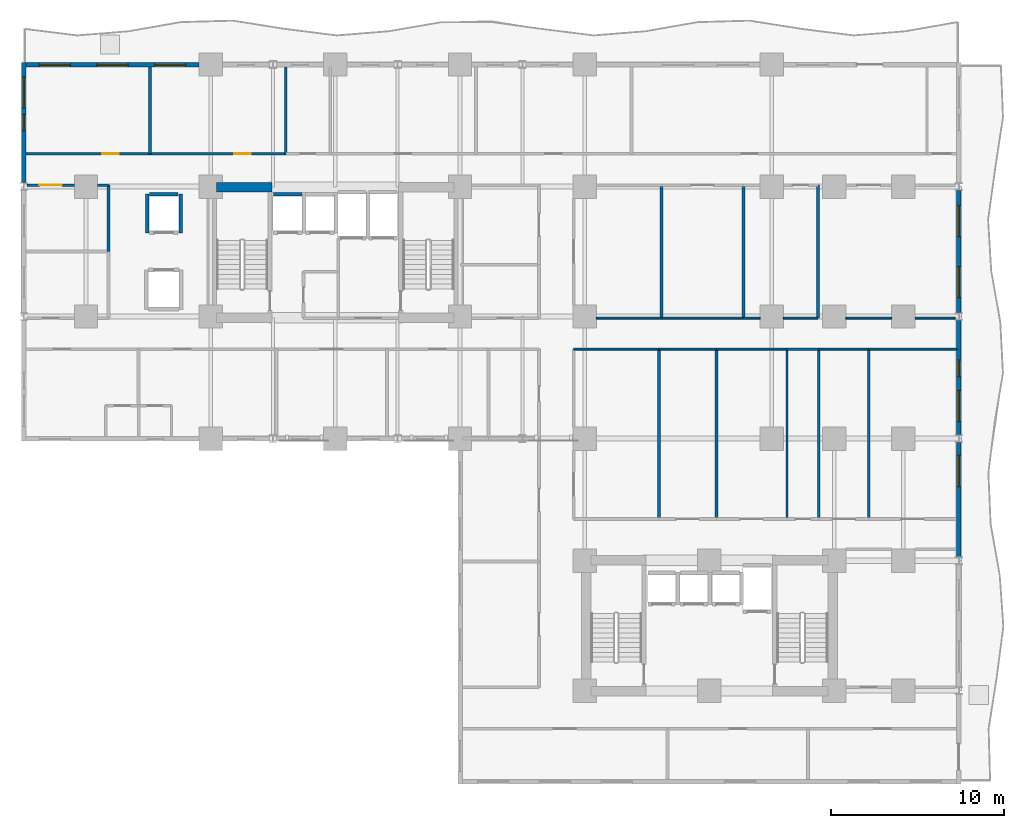
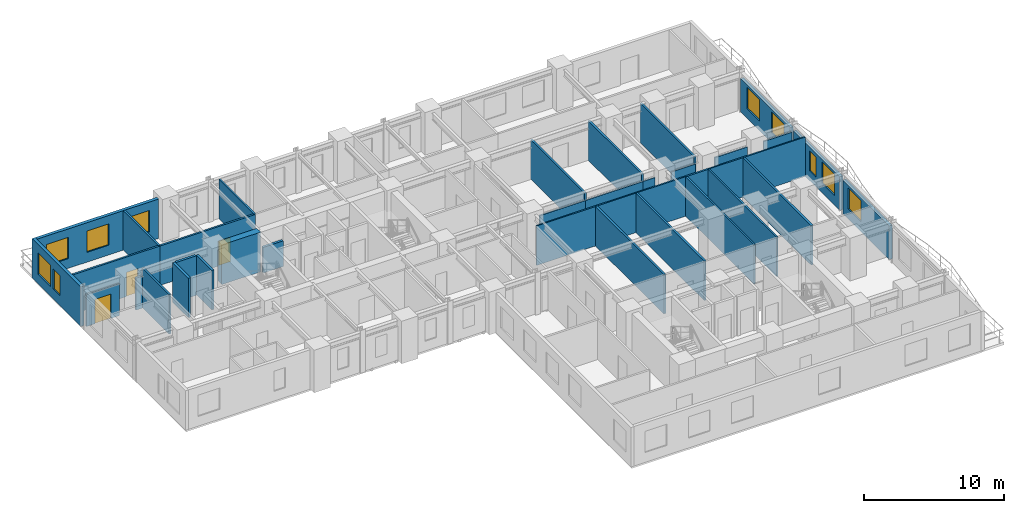
# One storey, part 6 of 11: 37 walls, 10 windows, 3 doors, 13 openings.
"""IFC4 building model written with IfcOpenShell, lengths in metres."""

from ifc_helpers import new_model, si_unit, direction, frame, frame_2d, origin, place, context, subcontext, project, spatial, rectangle, extrude, material, layer, layer_set, type_object, element, fill, save


model = new_model("IFC4")

# Units and contexts
model_context = context("Model", 3, precision=1e-05, world=origin(), true_north=direction((0.0, 1.0)))
body_context = subcontext(model_context, "Body", "Model", "MODEL_VIEW")
ifc_project = project(units=[si_unit("LENGTHUNIT", "METRE"), si_unit("AREAUNIT", "SQUARE_METRE"), si_unit("VOLUMEUNIT", "CUBIC_METRE"), si_unit("PLANEANGLEUNIT", "RADIAN"), si_unit("MASSUNIT", "GRAM", prefix="KILO")], contexts=[model_context])

# Site, building, storey
site_placement = place(None, origin())
site = spatial("IfcSite", under=ifc_project, at=site_placement, CompositionType="ELEMENT")
building_placement = place(site_placement, origin())
building = spatial("IfcBuilding", under=site, at=building_placement, Name="Kaliganga Portal Commons", CompositionType="ELEMENT")
storey_placement = place(building_placement, frame((0.0, 0.0, 36.39990234375)))
storey = spatial("IfcBuildingStorey", under=building, at=storey_placement, Name="L08", CompositionType="ELEMENT", Elevation=36.39990234375)

# Wall
ifc_material_1 = material(Name="Concrete C60/75", Category="concrete")
ifc_layer_1 = layer(ifc_material_1, 0.550048828125)
ifc_layer_set_1 = layer_set([ifc_layer_1], Name="Concrete C60/75")
wall_type_1 = type_object("IfcWallType", Name="WL-CORE-550", PredefinedType="SHEAR", material=ifc_layer_set_1)
wall_1_placement = place(storey_placement, frame((14.75, 36.125, 0.0), z_axis=(0.0, 0.0, 1.0), x_axis=(1.0, 0.0, 0.0)))
element("IfcWall", 1, at=wall_1_placement, inside=storey, type_object=wall_type_1, Name="Core A N-West Shear Wall L08", PredefinedType="SHEAR", context=body_context, shape_type="SweptSolid", body=[
    extrude(rectangle(XDim=3.199951171875, YDim=0.550048828125, at=frame_2d((1.60009765625, 0.0))), origin(), (0.0, 0.0, 1.0), 3.4501953125),
])

# Wall, opening, window
ifc_material_2 = material(Name="Insulated Aluminium-Clad Spandrel Assembly", Category="aluminium")
ifc_layer_2 = layer(ifc_material_2, 0.260009765625)
ifc_layer_set_2 = layer_set([ifc_layer_2], Name="Insulated Aluminium-Clad Spandrel Assembly")
wall_type_2 = type_object("IfcWallType", Name="WL-EXT-SPAND-260", PredefinedType="STANDARD", material=ifc_layer_set_2)
wall_2_placement = place(storey_placement, frame((57.60009765625, 21.3759765625, 0.0), z_axis=(0.0, 0.0, 1.0), x_axis=(0.0, -1.0, 0.0)))
wall_2 = element("IfcWall", 2, at=wall_2_placement, inside=storey, type_object=wall_type_2, Name="Exterior Envelope Wall L08 P1-E01-S3", PredefinedType="STANDARD", context=body_context, shape_type="SweptSolid", body=[
    extrude(rectangle(XDim=6.60205078125, YDim=0.260009765625, at=frame_2d((3.301025390625, 0.0))), origin(), (0.0, 0.0, 1.0), 2.93017578125),
])
opening_1_placement = place(wall_2_placement, frame((0.75048828125, 0.0, 0.85009765625)))
opening_1 = element("IfcOpeningElement", 3, at=opening_1_placement, cuts=wall_2, Name="Opening W-01", PredefinedType="OPENING", context=body_context, shape_type="SweptSolid", body=[
    extrude(rectangle(XDim=1.800048828125, YDim=1.85009765625, at=frame_2d((0.89990234375, 0.925048828125))), frame((0.0, 0.14013671875, 0.0), z_axis=(0.0, -1.0, 0.0), x_axis=(1.0, 0.0, 0.0)), (0.0, 0.0, 1.0), 0.280029296875),
])
ifc_material_3 = material(Name="Thermally Broken Aluminium and Low-E Double Glazing", Category="aluminium")
window_type_1 = type_object("IfcWindowType", Name="WIN-STD-1800", PartitioningType="DOUBLE_PANEL_VERTICAL", PredefinedType="WINDOW", material=ifc_material_3)
window_1_placement = place(opening_1_placement, origin())
window_1 = element("IfcWindow", 4, at=window_1_placement, inside=storey, type_object=window_type_1, Name="Facade Window L08-P1E01S3-00", OverallHeight=1.85009765625, OverallWidth=1.800048828125, PartitioningType="SINGLE_PANEL", PredefinedType="WINDOW", context=body_context, shape_type="SweptSolid", body=[
    extrude(rectangle(XDim=1.800048828125, YDim=1.85009765625, at=frame_2d((0.89990234375, 0.925048828125))), frame((0.0, 0.030029296875, 0.0), z_axis=(0.0, -1.0, 0.0), x_axis=(1.0, 0.0, 0.0)), (0.0, 0.0, 1.0), 0.06005859375),
])
fill(opening_1, window_1)

# Wall, openings, windows
wall_3_placement = place(storey_placement, frame((57.60009765625, 28.426025390625, 0.0), z_axis=(0.0, 0.0, 1.0), x_axis=(0.0, -1.0, 0.0)))
wall_3 = element("IfcWall", 5, at=wall_3_placement, inside=storey, type_object=wall_type_2, Name="Exterior Envelope Wall L08 P1-E01-S4", PredefinedType="STANDARD", context=body_context, shape_type="SweptSolid", body=[
    extrude(rectangle(XDim=6.60205078125, YDim=0.260009765625, at=frame_2d((3.301025390625, 0.0))), origin(), (0.0, 0.0, 1.0), 2.93017578125),
])
opening_2_placement = place(wall_3_placement, frame((4.051513671875, 0.0, 0.85009765625)))
opening_2 = element("IfcOpeningElement", 6, at=opening_2_placement, cuts=wall_3, Name="Opening W-01", PredefinedType="OPENING", context=body_context, shape_type="SweptSolid", body=[
    extrude(rectangle(XDim=1.800048828125, YDim=1.85009765625, at=frame_2d((0.89990234375, 0.925048828125))), frame((0.0, 0.14013671875, 0.0), z_axis=(0.0, -1.0, 0.0), x_axis=(1.0, 0.0, 0.0)), (0.0, 0.0, 1.0), 0.280029296875),
])
opening_3_placement = place(wall_3_placement, frame((2.2978515625, 0.0, 0.85009765625)))
opening_3 = element("IfcOpeningElement", 7, at=opening_3_placement, cuts=wall_3, Name="Opening W-04", PredefinedType="OPENING", context=body_context, shape_type="SweptSolid", body=[
    extrude(rectangle(XDim=0.949951171875, YDim=1.75, at=frame_2d((0.47509765625, 0.875))), frame((0.0, 0.14013671875, 0.0), z_axis=(0.0, -1.0, 0.0), x_axis=(1.0, 0.0, 0.0)), (0.0, 0.0, 1.0), 0.280029296875),
])
window_type_2 = type_object("IfcWindowType", Name="WIN-NARROW-950", PartitioningType="SINGLE_PANEL", PredefinedType="WINDOW", material=ifc_material_3)
window_2_placement = place(opening_3_placement, origin())
window_2 = element("IfcWindow", 8, at=window_2_placement, inside=storey, type_object=window_type_2, Name="Facade Window L08-P1E01S4-N5", OverallHeight=1.75, OverallWidth=0.949951171875, PartitioningType="SINGLE_PANEL", PredefinedType="WINDOW", context=body_context, shape_type="SweptSolid", body=[
    extrude(rectangle(XDim=0.949951171875, YDim=1.75, at=frame_2d((0.47509765625, 0.875))), frame((0.0, 0.030029296875, 0.0), z_axis=(0.0, -1.0, 0.0), x_axis=(1.0, 0.0, 0.0)), (0.0, 0.0, 1.0), 0.06005859375),
])
fill(opening_3, window_2)
window_3_placement = place(opening_2_placement, origin())
window_3 = element("IfcWindow", 9, at=window_3_placement, inside=storey, type_object=window_type_1, Name="Facade Window L08-P1E01S4-01", OverallHeight=1.85009765625, OverallWidth=1.800048828125, PartitioningType="SINGLE_PANEL", PredefinedType="WINDOW", context=body_context, shape_type="SweptSolid", body=[
    extrude(rectangle(XDim=1.800048828125, YDim=1.85009765625, at=frame_2d((0.89990234375, 0.925048828125))), frame((0.0, 0.030029296875, 0.0), z_axis=(0.0, -1.0, 0.0), x_axis=(1.0, 0.0, 0.0)), (0.0, 0.0, 1.0), 0.06005859375),
])
fill(opening_2, window_3)

wall_4_placement = place(storey_placement, frame((57.60009765625, 35.926025390625, 0.0), z_axis=(0.0, 0.0, 1.0), x_axis=(0.0, -1.0, 0.0)))
wall_4 = element("IfcWall", 10, at=wall_4_placement, inside=storey, type_object=wall_type_2, Name="Exterior Envelope Wall L08 P1-E01-S5", PredefinedType="STANDARD", context=body_context, shape_type="SweptSolid", body=[
    extrude(rectangle(XDim=7.052001953125, YDim=0.260009765625, at=frame_2d((3.52587890625, 0.0))), origin(), (0.0, 0.0, 1.0), 2.93017578125),
])
opening_4_placement = place(wall_4_placement, frame((0.863037109375, 0.0, 0.85009765625)))
opening_4 = element("IfcOpeningElement", 11, at=opening_4_placement, cuts=wall_4, Name="Opening W-01", PredefinedType="OPENING", context=body_context, shape_type="SweptSolid", body=[
    extrude(rectangle(XDim=1.800048828125, YDim=1.85009765625, at=frame_2d((0.89990234375, 0.925048828125))), frame((0.0, 0.14013671875, 0.0), z_axis=(0.0, -1.0, 0.0), x_axis=(1.0, 0.0, 0.0)), (0.0, 0.0, 1.0), 0.280029296875),
])
opening_5_placement = place(wall_4_placement, frame((4.388916015625, 0.0, 0.85009765625)))
opening_5 = element("IfcOpeningElement", 12, at=opening_5_placement, cuts=wall_4, Name="Opening W-01", PredefinedType="OPENING", context=body_context, shape_type="SweptSolid", body=[
    extrude(rectangle(XDim=1.800048828125, YDim=1.85009765625, at=frame_2d((0.89990234375, 0.925048828125))), frame((0.0, 0.14013671875, 0.0), z_axis=(0.0, -1.0, 0.0), x_axis=(1.0, 0.0, 0.0)), (0.0, 0.0, 1.0), 0.280029296875),
])
window_4_placement = place(opening_4_placement, origin())
window_4 = element("IfcWindow", 13, at=window_4_placement, inside=storey, type_object=window_type_1, Name="Facade Window L08-P1E01S5-00", OverallHeight=1.85009765625, OverallWidth=1.800048828125, PartitioningType="SINGLE_PANEL", PredefinedType="WINDOW", context=body_context, shape_type="SweptSolid", body=[
    extrude(rectangle(XDim=1.800048828125, YDim=1.85009765625, at=frame_2d((0.89990234375, 0.925048828125))), frame((0.0, 0.030029296875, 0.0), z_axis=(0.0, -1.0, 0.0), x_axis=(1.0, 0.0, 0.0)), (0.0, 0.0, 1.0), 0.06005859375),
])
fill(opening_4, window_4)
window_5_placement = place(opening_5_placement, origin())
window_5 = element("IfcWindow", 14, at=window_5_placement, inside=storey, type_object=window_type_1, Name="Facade Window L08-P1E01S5-01", OverallHeight=1.85009765625, OverallWidth=1.800048828125, PartitioningType="SINGLE_PANEL", PredefinedType="WINDOW", context=body_context, shape_type="SweptSolid", body=[
    extrude(rectangle(XDim=1.800048828125, YDim=1.85009765625, at=frame_2d((0.89990234375, 0.925048828125))), frame((0.0, 0.030029296875, 0.0), z_axis=(0.0, -1.0, 0.0), x_axis=(1.0, 0.0, 0.0)), (0.0, 0.0, 1.0), 0.06005859375),
])
fill(opening_5, window_5)

wall_5_placement = place(storey_placement, frame((3.735107421875, 43.199951171875, 0.0), z_axis=(0.0, 0.0, 1.0), x_axis=(1.0, 0.0, 0.0)))
wall_5 = element("IfcWall", 15, at=wall_5_placement, inside=storey, type_object=wall_type_2, Name="Exterior Envelope Wall L08 P1-E02-S9", PredefinedType="STANDARD", context=body_context, shape_type="SweptSolid", body=[
    extrude(rectangle(XDim=9.989013671875, YDim=0.260009765625, at=frame_2d((4.99462890625, 0.0))), origin(), (0.0, 0.0, 1.0), 3.43017578125),
])
opening_6_placement = place(wall_5_placement, frame((0.764892578125, 0.0, 0.85009765625)))
opening_6 = element("IfcOpeningElement", 16, at=opening_6_placement, cuts=wall_5, Name="Opening W-01", PredefinedType="OPENING", context=body_context, shape_type="SweptSolid", body=[
    extrude(rectangle(XDim=1.800048828125, YDim=1.85009765625, at=frame_2d((0.89990234375, 0.925048828125))), frame((0.0, 0.14013671875, 0.0), z_axis=(0.0, -1.0, 0.0), x_axis=(1.0, 0.0, 0.0)), (0.0, 0.0, 1.0), 0.280029296875),
])
opening_7_placement = place(wall_5_placement, frame((4.094482421875, 0.0, 0.85009765625)))
opening_7 = element("IfcOpeningElement", 17, at=opening_7_placement, cuts=wall_5, Name="Opening W-01", PredefinedType="OPENING", context=body_context, shape_type="SweptSolid", body=[
    extrude(rectangle(XDim=1.800048828125, YDim=1.85009765625, at=frame_2d((0.89990234375, 0.925048828125))), frame((0.0, 0.14013671875, 0.0), z_axis=(0.0, -1.0, 0.0), x_axis=(1.0, 0.0, 0.0)), (0.0, 0.0, 1.0), 0.280029296875),
])
opening_8_placement = place(wall_5_placement, frame((7.42431640625, 0.0, 0.85009765625)))
opening_8 = element("IfcOpeningElement", 18, at=opening_8_placement, cuts=wall_5, Name="Opening W-01", PredefinedType="OPENING", context=body_context, shape_type="SweptSolid", body=[
    extrude(rectangle(XDim=1.800048828125, YDim=1.85009765625, at=frame_2d((0.89990234375, 0.925048828125))), frame((0.0, 0.14013671875, 0.0), z_axis=(0.0, -1.0, 0.0), x_axis=(1.0, 0.0, 0.0)), (0.0, 0.0, 1.0), 0.280029296875),
])
window_6_placement = place(opening_6_placement, origin())
window_6 = element("IfcWindow", 19, at=window_6_placement, inside=storey, type_object=window_type_1, Name="Facade Window L08-P1E02S9-00", OverallHeight=1.85009765625, OverallWidth=1.800048828125, PartitioningType="SINGLE_PANEL", PredefinedType="WINDOW", context=body_context, shape_type="SweptSolid", body=[
    extrude(rectangle(XDim=1.800048828125, YDim=1.85009765625, at=frame_2d((0.89990234375, 0.925048828125))), frame((0.0, 0.030029296875, 0.0), z_axis=(0.0, -1.0, 0.0), x_axis=(1.0, 0.0, 0.0)), (0.0, 0.0, 1.0), 0.06005859375),
])
fill(opening_6, window_6)
window_7_placement = place(opening_7_placement, origin())
window_7 = element("IfcWindow", 20, at=window_7_placement, inside=storey, type_object=window_type_1, Name="Facade Window L08-P1E02S9-01", OverallHeight=1.85009765625, OverallWidth=1.800048828125, PartitioningType="SINGLE_PANEL", PredefinedType="WINDOW", context=body_context, shape_type="SweptSolid", body=[
    extrude(rectangle(XDim=1.800048828125, YDim=1.85009765625, at=frame_2d((0.89990234375, 0.925048828125))), frame((0.0, 0.030029296875, 0.0), z_axis=(0.0, -1.0, 0.0), x_axis=(1.0, 0.0, 0.0)), (0.0, 0.0, 1.0), 0.06005859375),
])
fill(opening_7, window_7)
window_8_placement = place(opening_8_placement, origin())
window_8 = element("IfcWindow", 21, at=window_8_placement, inside=storey, type_object=window_type_1, Name="Facade Window L08-P1E02S9-02", OverallHeight=1.85009765625, OverallWidth=1.800048828125, PartitioningType="SINGLE_PANEL", PredefinedType="WINDOW", context=body_context, shape_type="SweptSolid", body=[
    extrude(rectangle(XDim=1.800048828125, YDim=1.85009765625, at=frame_2d((0.89990234375, 0.925048828125))), frame((0.0, 0.030029296875, 0.0), z_axis=(0.0, -1.0, 0.0), x_axis=(1.0, 0.0, 0.0)), (0.0, 0.0, 1.0), 0.06005859375),
])
fill(opening_8, window_8)

wall_6_placement = place(storey_placement, frame((3.60009765625, 36.3740234375, 0.0), z_axis=(0.0, 0.0, 1.0), x_axis=(0.0, 1.0, 0.0)))
wall_6 = element("IfcWall", 22, at=wall_6_placement, inside=storey, type_object=wall_type_2, Name="Exterior Envelope Wall L08 P1-E03-S1", PredefinedType="STANDARD", context=body_context, shape_type="SweptSolid", body=[
    extrude(rectangle(XDim=6.9560546875, YDim=0.260009765625, at=frame_2d((3.47802734375, 0.0))), origin(), (0.0, 0.0, 1.0), 3.43017578125),
])
opening_9_placement = place(wall_6_placement, frame((4.31689453125, 0.0, 0.85009765625)))
opening_9 = element("IfcOpeningElement", 23, at=opening_9_placement, cuts=wall_6, Name="Opening W-01", PredefinedType="OPENING", context=body_context, shape_type="SweptSolid", body=[
    extrude(rectangle(XDim=1.800048828125, YDim=1.85009765625, at=frame_2d((0.89990234375, 0.925048828125))), frame((0.0, 0.14013671875, 0.0), z_axis=(0.0, -1.0, 0.0), x_axis=(1.0, 0.0, 0.0)), (0.0, 0.0, 1.0), 0.280029296875),
])
opening_10_placement = place(wall_6_placement, frame((3.0029296875, 0.0, 0.85009765625)))
opening_10 = element("IfcOpeningElement", 24, at=opening_10_placement, cuts=wall_6, Name="Opening W-04", PredefinedType="OPENING", context=body_context, shape_type="SweptSolid", body=[
    extrude(rectangle(XDim=0.949951171875, YDim=1.75, at=frame_2d((0.47509765625, 0.875))), frame((0.0, 0.14013671875, 0.0), z_axis=(0.0, -1.0, 0.0), x_axis=(1.0, 0.0, 0.0)), (0.0, 0.0, 1.0), 0.280029296875),
])
window_9_placement = place(opening_10_placement, origin())
window_9 = element("IfcWindow", 25, at=window_9_placement, inside=storey, type_object=window_type_2, Name="Facade Window L08-P1E03S1-N0", OverallHeight=1.75, OverallWidth=0.949951171875, PartitioningType="SINGLE_PANEL", PredefinedType="WINDOW", context=body_context, shape_type="SweptSolid", body=[
    extrude(rectangle(XDim=0.949951171875, YDim=1.75, at=frame_2d((0.47509765625, 0.875))), frame((0.0, 0.030029296875, 0.0), z_axis=(0.0, -1.0, 0.0), x_axis=(1.0, 0.0, 0.0)), (0.0, 0.0, 1.0), 0.06005859375),
])
fill(opening_10, window_9)
window_10_placement = place(opening_9_placement, origin())
window_10 = element("IfcWindow", 26, at=window_10_placement, inside=storey, type_object=window_type_1, Name="Facade Window L08-P1E03S1-01", OverallHeight=1.85009765625, OverallWidth=1.800048828125, PartitioningType="SINGLE_PANEL", PredefinedType="WINDOW", context=body_context, shape_type="SweptSolid", body=[
    extrude(rectangle(XDim=1.800048828125, YDim=1.85009765625, at=frame_2d((0.89990234375, 0.925048828125))), frame((0.0, 0.030029296875, 0.0), z_axis=(0.0, -1.0, 0.0), x_axis=(1.0, 0.0, 0.0)), (0.0, 0.0, 1.0), 0.06005859375),
])
fill(opening_9, window_10)

# Wall, opening, door
ifc_material_4 = material(Name="Fire-Rated Gypsum Board on Steel Stud", Category="steel")
ifc_layer_3 = layer(ifc_material_4, 0.14990234375)
ifc_layer_set_3 = layer_set([ifc_layer_3], Name="Fire-Rated Gypsum Board on Steel Stud")
wall_type_3 = type_object("IfcWallType", Name="WL-PART-CORR-150", PredefinedType="PARTITIONING", material=ifc_layer_set_3)
wall_7_placement = place(storey_placement, frame((10.89990234375, 38.0400390625, 0.0), z_axis=(0.0, 0.0, 1.0), x_axis=(1.0, 0.0, 0.0)))
wall_7 = element("IfcWall", 27, at=wall_7_placement, inside=storey, type_object=wall_type_3, Name="Interior Partition L08-017", PredefinedType="PARTITIONING", context=body_context, shape_type="SweptSolid", body=[
    extrude(rectangle(XDim=7.840087890625, YDim=0.14990234375, at=frame_2d((3.919921875, 0.0))), origin(), (0.0, 0.0, 1.0), 3.43017578125),
])
opening_11_placement = place(wall_7_placement, frame((4.856201171875, 0.0, 0.0)))
opening_11 = element("IfcOpeningElement", 28, at=opening_11_placement, cuts=wall_7, Name="Opening UD-01", PredefinedType="OPENING", context=body_context, shape_type="SweptSolid", body=[
    extrude(rectangle(XDim=0.949951171875, YDim=2.10009765625, at=frame_2d((0.47509765625, 1.050048828125))), frame((0.0, 0.0849609375, 0.0), z_axis=(0.0, -1.0, 0.0), x_axis=(1.0, 0.0, 0.0)), (0.0, 0.0, 1.0), 0.169921875),
])
ifc_material_5 = material(Name="Solid-Core Timber Acoustic Fire Door", Category="wood")
door_type_1 = type_object("IfcDoorType", Name="DR-UNIT-950", OperationType="NOTDEFINED", PredefinedType="DOOR", material=ifc_material_5)
door_1_placement = place(opening_11_placement, origin())
door_1 = element("IfcDoor", 29, at=door_1_placement, inside=storey, type_object=door_type_1, Name="Interior Door L08-AN02", OperationType="SINGLE_SWING_LEFT", OverallHeight=2.10009765625, OverallWidth=0.949951171875, PredefinedType="DOOR", context=body_context, shape_type="SweptSolid", body=[
    extrude(rectangle(XDim=0.949951171875, YDim=2.10009765625, at=frame_2d((0.47509765625, 1.050048828125))), frame((0.0, 0.02490234375, 0.0), z_axis=(0.0, -1.0, 0.0), x_axis=(1.0, 0.0, 0.0)), (0.0, 0.0, 1.0), 0.050048828125),
])
fill(opening_11, door_1)

wall_8_placement = place(storey_placement, frame((3.73193359375, 38.0400390625, 0.0), z_axis=(0.0, 0.0, 1.0), x_axis=(1.0, 0.0, 0.0)))
wall_8 = element("IfcWall", 30, at=wall_8_placement, inside=storey, type_object=wall_type_3, Name="Interior Partition L08-019", PredefinedType="PARTITIONING", context=body_context, shape_type="SweptSolid", body=[
    extrude(rectangle(XDim=7.16796875, YDim=0.14990234375, at=frame_2d((3.583984375, 0.0))), origin(), (0.0, 0.0, 1.0), 3.43017578125),
])
opening_12_placement = place(wall_8_placement, frame((4.399169921875, 0.0, 0.0)))
opening_12 = element("IfcOpeningElement", 31, at=opening_12_placement, cuts=wall_8, Name="Opening UD-01", PredefinedType="OPENING", context=body_context, shape_type="SweptSolid", body=[
    extrude(rectangle(XDim=0.949951171875, YDim=2.10009765625, at=frame_2d((0.47509765625, 1.050048828125))), frame((0.0, 0.0849609375, 0.0), z_axis=(0.0, -1.0, 0.0), x_axis=(1.0, 0.0, 0.0)), (0.0, 0.0, 1.0), 0.169921875),
])
door_2_placement = place(opening_12_placement, origin())
door_2 = element("IfcDoor", 32, at=door_2_placement, inside=storey, type_object=door_type_1, Name="Interior Door L08-AN01", OperationType="SINGLE_SWING_LEFT", OverallHeight=2.10009765625, OverallWidth=0.949951171875, PredefinedType="DOOR", context=body_context, shape_type="SweptSolid", body=[
    extrude(rectangle(XDim=0.949951171875, YDim=2.10009765625, at=frame_2d((0.47509765625, 1.050048828125))), frame((0.0, 0.02490234375, 0.0), z_axis=(0.0, -1.0, 0.0), x_axis=(1.0, 0.0, 0.0)), (0.0, 0.0, 1.0), 0.050048828125),
])
fill(opening_12, door_2)

wall_9_placement = place(storey_placement, frame((3.80810546875, 36.239990234375, 0.0), z_axis=(0.0, 0.0, 1.0), x_axis=(1.0, 0.0, 0.0)))
wall_9 = element("IfcWall", 33, at=wall_9_placement, inside=storey, type_object=wall_type_3, Name="Interior Partition L08-035", PredefinedType="PARTITIONING", context=body_context, shape_type="SweptSolid", body=[
    extrude(rectangle(XDim=2.716796875, YDim=0.14990234375, at=frame_2d((1.3583984375, 0.0))), origin(), (0.0, 0.0, 1.0), 2.780029296875),
])
opening_13_placement = place(wall_9_placement, frame((0.70849609375, 0.0, 0.0)))
opening_13 = element("IfcOpeningElement", 34, at=opening_13_placement, cuts=wall_9, Name="Opening RD-03", PredefinedType="OPENING", context=body_context, shape_type="SweptSolid", body=[
    extrude(rectangle(XDim=1.300048828125, YDim=2.1201171875, at=frame_2d((0.64990234375, 1.06005859375))), frame((0.0, 0.0849609375, 0.0), z_axis=(0.0, -1.0, 0.0), x_axis=(1.0, 0.0, 0.0)), (0.0, 0.0, 1.0), 0.169921875),
])
ifc_material_6 = material(Name="Glazed Timber Seminar Vision Door", Category="wood")
door_type_2 = type_object("IfcDoorType", Name="DR-STUDY-1300", OperationType="DOUBLE_DOOR_SINGLE_SWING", PredefinedType="DOOR", material=ifc_material_6)
door_3_placement = place(opening_13_placement, origin())
door_3 = element("IfcDoor", 35, at=door_3_placement, inside=storey, type_object=door_type_2, Name="Interior Door L08-AW02", OperationType="DOUBLE_DOOR_SINGLE_SWING", OverallHeight=2.1201171875, OverallWidth=1.300048828125, PredefinedType="DOOR", context=body_context, shape_type="SweptSolid", body=[
    extrude(rectangle(XDim=1.300048828125, YDim=2.1201171875, at=frame_2d((0.64990234375, 1.06005859375))), frame((0.0, 0.02490234375, 0.0), z_axis=(0.0, -1.0, 0.0), x_axis=(1.0, 0.0, 0.0)), (0.0, 0.0, 1.0), 0.050048828125),
])
fill(opening_13, door_3)

# Walls
wall_10_placement = place(storey_placement, frame((7.875, 36.239990234375, 0.0), z_axis=(0.0, 0.0, 1.0), x_axis=(1.0, 0.0, 0.0)))
element("IfcWall", 36, at=wall_10_placement, inside=storey, type_object=wall_type_3, Name="Interior Partition L08-036", PredefinedType="PARTITIONING", context=body_context, shape_type="SweptSolid", body=[
    extrude(rectangle(XDim=0.625, YDim=0.14990234375, at=frame_2d((0.3125, 0.0))), origin(), (0.0, 0.0, 1.0), 2.780029296875),
])
wall_11_placement = place(storey_placement, frame((8.5, 32.39990234375, 0.0), z_axis=(0.0, 0.0, 1.0), x_axis=(0.0, 1.0, 0.0)))
element("IfcWall", 37, at=wall_11_placement, inside=storey, type_object=wall_type_3, Name="Interior Partition L08-045", PredefinedType="PARTITIONING", context=body_context, shape_type="SweptSolid", body=[
    extrude(rectangle(XDim=3.840087890625, YDim=0.14990234375, at=frame_2d((1.919921875, 0.0))), origin(), (0.0, 0.0, 1.0), 3.43017578125),
])
ifc_material_7 = material(Name="Moisture-Resistant Gypsum Partition", Category="gypsum")
ifc_layer_4 = layer(ifc_material_7, 0.114990234375)
ifc_layer_set_4 = layer_set([ifc_layer_4], Name="Moisture-Resistant Gypsum Partition")
wall_type_4 = type_object("IfcWallType", Name="WL-PART-ROOM-115", PredefinedType="PARTITIONING", material=ifc_layer_set_4)
wall_12_placement = place(storey_placement, frame((51.074951171875, 28.56005859375, 0.0), z_axis=(0.0, 0.0, 1.0), x_axis=(1.0, 0.0, 0.0)))
element("IfcWall", 38, at=wall_12_placement, inside=storey, type_object=wall_type_4, Name="Interior Partition L08-063", PredefinedType="PARTITIONING", context=body_context, shape_type="SweptSolid", body=[
    extrude(rectangle(XDim=2.650146484375, YDim=0.114990234375, at=frame_2d((1.3251953125, 0.0))), origin(), (0.0, 0.0, 1.0), 2.780029296875),
])
wall_13_placement = place(storey_placement, frame((55.074951171875, 28.56005859375, 0.0), z_axis=(0.0, 0.0, 1.0), x_axis=(1.0, 0.0, 0.0)))
element("IfcWall", 39, at=wall_13_placement, inside=storey, type_object=wall_type_4, Name="Interior Partition L08-064", PredefinedType="PARTITIONING", context=body_context, shape_type="SweptSolid", body=[
    extrude(rectangle(XDim=2.317138671875, YDim=0.114990234375, at=frame_2d((1.15869140625, 0.0))), origin(), (0.0, 0.0, 1.0), 2.780029296875),
])
wall_14_placement = place(storey_placement, frame((52.39990234375, 26.760009765625, 0.0), z_axis=(0.0, 0.0, 1.0), x_axis=(1.0, 0.0, 0.0)))
element("IfcWall", 40, at=wall_14_placement, inside=storey, type_object=wall_type_4, Name="Interior Partition L08-068", PredefinedType="PARTITIONING", context=body_context, shape_type="SweptSolid", body=[
    extrude(rectangle(XDim=5.068115234375, YDim=0.114990234375, at=frame_2d((2.5341796875, 0.0))), origin(), (0.0, 0.0, 1.0), 3.43017578125),
])
wall_15_placement = place(storey_placement, frame((36.675048828125, 28.56005859375, 0.0), z_axis=(0.0, 0.0, 1.0), x_axis=(1.0, 0.0, 0.0)))
element("IfcWall", 41, at=wall_15_placement, inside=storey, type_object=wall_type_4, Name="Interior Partition L08-078", PredefinedType="PARTITIONING", context=body_context, shape_type="SweptSolid", body=[
    extrude(rectangle(XDim=3.764892578125, YDim=0.114990234375, at=frame_2d((1.88232421875, 0.0))), origin(), (0.0, 0.0, 1.0), 2.780029296875),
])
wall_16_placement = place(storey_placement, frame((35.360107421875, 26.760009765625, 0.0), z_axis=(0.0, 0.0, 1.0), x_axis=(1.0, 0.0, 0.0)))
element("IfcWall", 42, at=wall_16_placement, inside=storey, type_object=wall_type_4, Name="Interior Partition L08-079", PredefinedType="PARTITIONING", context=body_context, shape_type="SweptSolid", body=[
    extrude(rectangle(XDim=4.919921875, YDim=0.114990234375, at=frame_2d((2.4599609375, 0.0))), origin(), (0.0, 0.0, 1.0), 3.43017578125),
])
wall_17_placement = place(storey_placement, frame((40.43994140625, 28.56005859375, 0.0), z_axis=(0.0, 0.0, 1.0), x_axis=(1.0, 0.0, 0.0)))
element("IfcWall", 43, at=wall_17_placement, inside=storey, type_object=wall_type_4, Name="Interior Partition L08-081", PredefinedType="PARTITIONING", context=body_context, shape_type="SweptSolid", body=[
    extrude(rectangle(XDim=4.719970703125, YDim=0.114990234375, at=frame_2d((2.35986328125, 0.0))), origin(), (0.0, 0.0, 1.0), 2.780029296875),
])
wall_18_placement = place(storey_placement, frame((45.159912109375, 28.56005859375, 0.0), z_axis=(0.0, 0.0, 1.0), x_axis=(1.0, 0.0, 0.0)))
element("IfcWall", 44, at=wall_18_placement, inside=storey, type_object=wall_type_4, Name="Interior Partition L08-084", PredefinedType="PARTITIONING", context=body_context, shape_type="SweptSolid", body=[
    extrude(rectangle(XDim=0.965087890625, YDim=0.114990234375, at=frame_2d((0.482421875, 0.0))), origin(), (0.0, 0.0, 1.0), 2.780029296875),
])
wall_19_placement = place(storey_placement, frame((47.47509765625, 28.56005859375, 0.0), z_axis=(0.0, 0.0, 1.0), x_axis=(1.0, 0.0, 0.0)))
element("IfcWall", 45, at=wall_19_placement, inside=storey, type_object=wall_type_4, Name="Interior Partition L08-085", PredefinedType="PARTITIONING", context=body_context, shape_type="SweptSolid", body=[
    extrude(rectangle(XDim=1.98486328125, YDim=0.114990234375, at=frame_2d((0.992431640625, 0.0))), origin(), (0.0, 0.0, 1.0), 2.780029296875),
])
wall_20_placement = place(storey_placement, frame((43.60009765625, 26.760009765625, 0.0), z_axis=(0.0, 0.0, 1.0), x_axis=(1.0, 0.0, 0.0)))
element("IfcWall", 46, at=wall_20_placement, inside=storey, type_object=wall_type_4, Name="Interior Partition L08-086", PredefinedType="PARTITIONING", context=body_context, shape_type="SweptSolid", body=[
    extrude(rectangle(XDim=4.079833984375, YDim=0.114990234375, at=frame_2d((2.0400390625, 0.0))), origin(), (0.0, 0.0, 1.0), 3.43017578125),
])
wall_21_placement = place(storey_placement, frame((40.280029296875, 26.760009765625, 0.0), z_axis=(0.0, 0.0, 1.0), x_axis=(1.0, 0.0, 0.0)))
element("IfcWall", 47, at=wall_21_placement, inside=storey, type_object=wall_type_4, Name="Interior Partition L08-088", PredefinedType="PARTITIONING", context=body_context, shape_type="SweptSolid", body=[
    extrude(rectangle(XDim=3.320068359375, YDim=0.114990234375, at=frame_2d((1.66015625, 0.0))), origin(), (0.0, 0.0, 1.0), 3.43017578125),
])
wall_22_placement = place(storey_placement, frame((49.52001953125, 26.760009765625, 0.0), z_axis=(0.0, 0.0, 1.0), x_axis=(1.0, 0.0, 0.0)))
element("IfcWall", 48, at=wall_22_placement, inside=storey, type_object=wall_type_4, Name="Interior Partition L08-093", PredefinedType="PARTITIONING", context=body_context, shape_type="SweptSolid", body=[
    extrude(rectangle(XDim=2.8798828125, YDim=0.114990234375, at=frame_2d((1.43994140625, 0.0))), origin(), (0.0, 0.0, 1.0), 3.43017578125),
])
ifc_material_8 = material(Name="Twin-Stud Acoustic Gypsum Partition", Category="gypsum")
ifc_layer_5 = layer(ifc_material_8, 0.1650390625)
ifc_layer_set_5 = layer_set([ifc_layer_5], Name="Twin-Stud Acoustic Gypsum Partition")
wall_type_5 = type_object("IfcWallType", Name="WL-PART-UNIT-165", PredefinedType="PARTITIONING", material=ifc_layer_set_5)
for number, where, z_axis, x_axis, name in (
    (49, (40.280029296875, 16.9599609375, 0.0), (0.0, 0.0, 1.0), (0.0, 1.0, 0.0), "Interior Partition L08-058"),
    (50, (43.60009765625, 16.9599609375, 0.0), (0.0, 0.0, 1.0), (0.0, 1.0, 0.0), "Interior Partition L08-059"),
    (51, (52.39990234375, 16.9599609375, 0.0), (0.0, 0.0, 1.0), (0.0, 1.0, 0.0), "Interior Partition L08-062"),
):
    element("IfcWall", number, at=place(storey_placement, frame(where, z_axis=z_axis, x_axis=x_axis)), inside=storey, type_object=wall_type_5, Name=name, PredefinedType="PARTITIONING", context=body_context, shape_type="SweptSolid", body=[
        extrude(rectangle(XDim=9.800048828125, YDim=0.1650390625, at=frame_2d((4.89990234375, 0.0))), origin(), (0.0, 0.0, 1.0), 3.43017578125),
    ])
for number, where, z_axis, x_axis, name in (
    (52, (40.43994140625, 28.56005859375, 0.0), (0.0, 0.0, 1.0), (0.0, 1.0, 0.0), "Interior Partition L08-065"),
    (53, (45.159912109375, 28.56005859375, 0.0), (0.0, 0.0, 1.0), (0.0, 1.0, 0.0), "Interior Partition L08-066"),
    (54, (49.4599609375, 28.56005859375, 0.0), (0.0, 0.0, 1.0), (0.0, 1.0, 0.0), "Interior Partition L08-067"),
):
    element("IfcWall", number, at=place(storey_placement, frame(where, z_axis=z_axis, x_axis=x_axis)), inside=storey, type_object=wall_type_5, Name=name, PredefinedType="PARTITIONING", context=body_context, shape_type="SweptSolid", body=[
        extrude(rectangle(XDim=7.679931640625, YDim=0.1650390625, at=frame_2d((3.83984375, 0.0))), origin(), (0.0, 0.0, 1.0), 3.43017578125),
    ])
wall_23_placement = place(storey_placement, frame((10.89990234375, 38.0400390625, 0.0), z_axis=(0.0, 0.0, 1.0), x_axis=(0.0, 1.0, 0.0)))
element("IfcWall", 55, at=wall_23_placement, inside=storey, type_object=wall_type_5, Name="Interior Partition L08-069", PredefinedType="PARTITIONING", context=body_context, shape_type="SweptSolid", body=[
    extrude(rectangle(XDim=5.028076171875, YDim=0.1650390625, at=frame_2d((2.51416015625, 0.0))), origin(), (0.0, 0.0, 1.0), 3.43017578125),
])
ifc_material_9 = material(Name="Cement-Board Wet-Room Partition", Category="gypsum")
ifc_layer_6 = layer(ifc_material_9, 0.135009765625)
ifc_layer_set_6 = layer_set([ifc_layer_6], Name="Cement-Board Wet-Room Partition")
wall_type_6 = type_object("IfcWallType", Name="WL-PART-WET-135", PredefinedType="PARTITIONING", material=ifc_layer_set_6)
for number, where, z_axis, x_axis, name in (
    (56, (47.679931640625, 16.9599609375, 0.0), (0.0, 0.0, 1.0), (0.0, 1.0, 0.0), "Interior Partition L08-060"),
    (57, (49.52001953125, 16.9599609375, 0.0), (0.0, 0.0, 1.0), (0.0, 1.0, 0.0), "Interior Partition L08-061"),
):
    element("IfcWall", number, at=place(storey_placement, frame(where, z_axis=z_axis, x_axis=x_axis)), inside=storey, type_object=wall_type_6, Name=name, PredefinedType="PARTITIONING", context=body_context, shape_type="SweptSolid", body=[
        extrude(rectangle(XDim=9.800048828125, YDim=0.135009765625, at=frame_2d((4.89990234375, 0.0))), origin(), (0.0, 0.0, 1.0), 3.43017578125),
    ])
wall_24_placement = place(storey_placement, frame((18.739990234375, 38.0400390625, 0.0), z_axis=(0.0, 0.0, 1.0), x_axis=(0.0, 1.0, 0.0)))
element("IfcWall", 58, at=wall_24_placement, inside=storey, type_object=wall_type_6, Name="Interior Partition L08-070", PredefinedType="PARTITIONING", context=body_context, shape_type="SweptSolid", body=[
    extrude(rectangle(XDim=5.028076171875, YDim=0.135009765625, at=frame_2d((2.51416015625, 0.0))), origin(), (0.0, 0.0, 1.0), 3.43017578125),
])
wall_25_placement = place(storey_placement, frame((47.679931640625, 26.760009765625, 0.0), z_axis=(0.0, 0.0, 1.0), x_axis=(1.0, 0.0, 0.0)))
element("IfcWall", 59, at=wall_25_placement, inside=storey, type_object=wall_type_6, Name="Interior Partition L08-095", PredefinedType="PARTITIONING", context=body_context, shape_type="SweptSolid", body=[
    extrude(rectangle(XDim=1.840087890625, YDim=0.135009765625, at=frame_2d((0.919921875, 0.0))), origin(), (0.0, 0.0, 1.0), 3.43017578125),
])
ifc_material_10 = material(Name="Fire-Rated Shaftwall Masonry Assembly", Category="masonry")
ifc_layer_7 = layer(ifc_material_10, 0.199951171875)
ifc_layer_set_7 = layer_set([ifc_layer_7], Name="Fire-Rated Shaftwall Masonry Assembly")
wall_type_7 = type_object("IfcWallType", Name="WL-SHAFT-200", PredefinedType="PARTITIONING", material=ifc_layer_set_7)
wall_26_placement = place(storey_placement, frame((18.02490234375, 35.715087890625, 0.0), z_axis=(0.0, 0.0, 1.0), x_axis=(1.0, 0.0, 0.0)))
element("IfcWall", 60, at=wall_26_placement, inside=storey, type_object=wall_type_7, Name="Lift PL-A1 Hoistway Shaft Wall L08-N", PredefinedType="PARTITIONING", context=body_context, shape_type="SweptSolid", body=[
    extrude(rectangle(XDim=1.650146484375, YDim=0.199951171875, at=frame_2d((0.8251953125, 0.0))), origin(), (0.0, 0.0, 1.0), 2.22998046875),
])
wall_27_placement = place(storey_placement, frame((10.875, 35.715087890625, 0.0), z_axis=(0.0, 0.0, 1.0), x_axis=(1.0, 0.0, 0.0)))
element("IfcWall", 61, at=wall_27_placement, inside=storey, type_object=wall_type_7, Name="Lift PL-OBS Hoistway Shaft Wall L08-N", PredefinedType="PARTITIONING", context=body_context, shape_type="SweptSolid", body=[
    extrude(rectangle(XDim=1.64990234375, YDim=0.199951171875, at=frame_2d((0.824951171875, 0.0))), origin(), (0.0, 0.0, 1.0), 3.43017578125),
])
for number, where, z_axis, x_axis, name in (
    (62, (10.735107421875, 33.485107421875, 0.0), (0.0, 0.0, 1.0), (0.0, 1.0, 0.0), "Lift PL-OBS Hoistway Shaft Wall L08-W"),
    (63, (12.6650390625, 33.485107421875, 0.0), (0.0, 0.0, 1.0), (0.0, 1.0, 0.0), "Lift PL-OBS Hoistway Shaft Wall L08-E"),
):
    element("IfcWall", number, at=place(storey_placement, frame(where, z_axis=z_axis, x_axis=x_axis)), inside=storey, type_object=wall_type_7, Name=name, PredefinedType="PARTITIONING", context=body_context, shape_type="SweptSolid", body=[
        extrude(rectangle(XDim=2.22998046875, YDim=0.199951171875, at=frame_2d((1.114990234375, 0.0))), origin(), (0.0, 0.0, 1.0), 3.43017578125),
    ])

save(model, "model.ifc")
